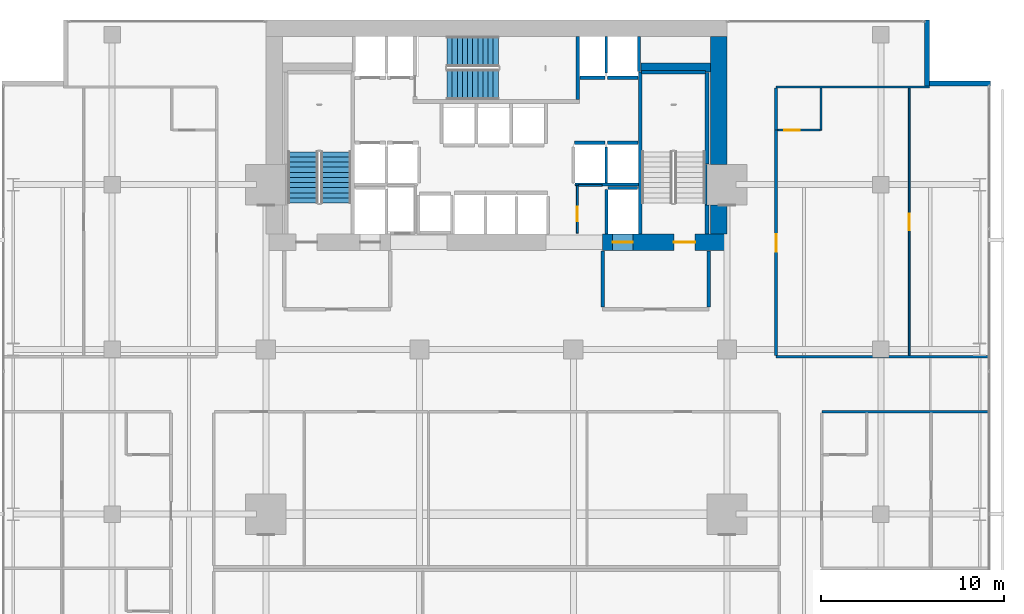
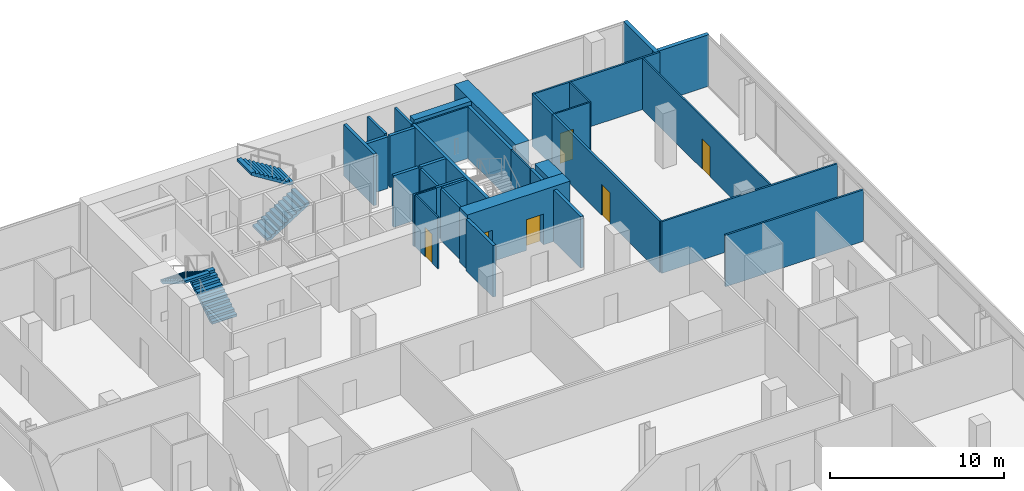
# One storey, part 36 of 39: 34 walls, 6 doors, 4 stair flights, 6 openings, 2 elements without a shape of their own.
"""IFC4 building model written with IfcOpenShell, lengths in metres."""

from ifc_helpers import new_model, si_unit, direction, frame, frame_2d, origin, place, context, subcontext, project, spatial, polyline, rectangle, outline, extrude, material, layer, layer_set, type_object, element, fill, aggregate, save


model = new_model("IFC4")

# Units and contexts
model_context = context("Model", 3, precision=1e-05, world=origin(), true_north=direction((0.0, 1.0)))
body_context = subcontext(model_context, "Body", "Model", "MODEL_VIEW")
ifc_project = project(units=[si_unit("LENGTHUNIT", "METRE"), si_unit("AREAUNIT", "SQUARE_METRE"), si_unit("VOLUMEUNIT", "CUBIC_METRE"), si_unit("PLANEANGLEUNIT", "RADIAN"), si_unit("MASSUNIT", "GRAM", prefix="KILO")], contexts=[model_context])

# Site, building, storey
site_placement = place(None, origin())
site = spatial("IfcSite", under=ifc_project, at=site_placement, CompositionType="ELEMENT")
building_placement = place(site_placement, origin())
building = spatial("IfcBuilding", under=site, at=building_placement, Name="Maruvema Waterfront Hotel and Observation Tower", CompositionType="ELEMENT")
storey_placement = place(building_placement, frame((0.0, 0.0, 69.300048828125)))
storey = spatial("IfcBuildingStorey", under=building, at=storey_placement, Name="L16", CompositionType="ELEMENT", Elevation=69.300048828125)

# Wall, opening, door
ifc_material_1 = material(Name="Twin-stud acoustic gypsum drywall", Category="gypsum")
ifc_layer_1 = layer(ifc_material_1, 0.14990234375, Name="Acoustic Corridor and Suite Demising Wall 150 mm")
ifc_layer_set_1 = layer_set([ifc_layer_1], Name="Twin-stud acoustic gypsum drywall")
wall_type_1 = type_object("IfcWallType", Name="Acoustic Corridor and Suite Demising Wall 150 mm", PredefinedType="PARTITIONING", material=ifc_layer_set_1)
wall_1_placement = place(storey_placement, frame((53.080078125, 35.659912109375, 0.0), z_axis=(0.0, 0.0, 1.0), x_axis=(0.0, 1.0, 0.0)))
wall_1 = element("IfcWall", 1, at=wall_1_placement, inside=storey, type_object=wall_type_1, Name="L16 Room L16-NE1 Corridor Wall 085", PredefinedType="PARTITIONING", context=body_context, shape_type="SweptSolid", body=[
    extrude(rectangle(XDim=12.32763671875, YDim=0.14990234375, at=frame_2d((6.163818359375, 0.0))), origin(), (0.0, 0.0, 1.0), 3.60986328125),
])
opening_1_placement = place(wall_1_placement, frame((5.688720703125, 0.0, 0.0)))
opening_1 = element("IfcOpeningElement", 2, at=opening_1_placement, cuts=wall_1, Name="Opening DR-095", PredefinedType="OPENING", context=body_context, shape_type="SweptSolid", body=[
    extrude(rectangle(XDim=0.949951171875, YDim=2.14990234375, at=frame_2d((0.47509765625, 1.074951171875))), frame((0.0, 0.0849609375, 0.0), z_axis=(0.0, -1.0, 0.0), x_axis=(1.0, 0.0, 0.0)), (0.0, 0.0, 1.0), 0.169921875),
])
ifc_material_2 = material(Name="Acoustic solid-core hardwood timber leaf", Category="wood")
door_type_1 = type_object("IfcDoorType", Name="Guestroom Entrance Fire Door 950x2150 mm", OperationType="NOTDEFINED", PredefinedType="DOOR", material=ifc_material_2)
door_1_placement = place(opening_1_placement, frame((0.949951171875, 0.0, 0.0), z_axis=(0.0, 0.0, 1.0), x_axis=(-1.0, 0.0, 0.0)))
door_1 = element("IfcDoor", 3, at=door_1_placement, inside=storey, type_object=door_type_1, Name="L16 Room L16-NE1 Entrance Door", OperationType="SINGLE_SWING_RIGHT", OverallHeight=2.14990234375, OverallWidth=0.949951171875, PredefinedType="DOOR", context=body_context, shape_type="SweptSolid", body=[
    extrude(rectangle(XDim=0.949951171875, YDim=2.14990234375, at=frame_2d((0.47509765625, 1.074951171875))), frame((0.0, 0.02490234375, 0.0), z_axis=(0.0, -1.0, 0.0), x_axis=(1.0, 0.0, 0.0)), (0.0, 0.0, 1.0), 0.050048828125),
])
fill(opening_1, door_1)

# Walls
wall_2_placement = place(storey_placement, frame((53.080078125, 47.987548828125, 0.0), z_axis=(0.0, 0.0, 1.0), x_axis=(0.0, 1.0, 0.0)))
element("IfcWall", 4, at=wall_2_placement, inside=storey, type_object=wall_type_1, Name="L16 Bath L16-NE1 Wall 086", PredefinedType="PARTITIONING", context=body_context, shape_type="SweptSolid", body=[
    extrude(rectangle(XDim=2.2900390625, YDim=0.14990234375, at=frame_2d((1.14501953125, 0.0))), origin(), (0.0, 0.0, 1.0), 3.60986328125),
])
ifc_material_3 = material(Name="Precast concrete C45/55", Category="concrete")
ifc_layer_2 = layer(ifc_material_3, 0.199951171875, Name="Core Shaft and Stairwell Enclosure Wall 200 mm")
ifc_layer_set_2 = layer_set([ifc_layer_2], Name="Precast concrete C45/55")
wall_type_2 = type_object("IfcWallType", Name="Core Shaft and Stairwell Enclosure Wall 200 mm", PredefinedType="SOLIDWALL", material=ifc_layer_set_2)
wall_3_placement = place(storey_placement, frame((42.25, 49.64990234375, 0.0), z_axis=(0.0, 0.0, 1.0), x_axis=(0.0, 1.0, 0.0)))
element("IfcWall", 5, at=wall_3_placement, inside=storey, type_object=wall_type_2, Name="L16 Stairwell ST-02 Shaft Wall", PredefinedType="SOLIDWALL", context=body_context, shape_type="SweptSolid", body=[
    extrude(rectangle(XDim=3.4501953125, YDim=0.199951171875, at=frame_2d((1.72509765625, 0.0))), origin(), (0.0, 0.0, 1.0), 3.60986328125),
])
wall_4_placement = place(storey_placement, frame((45.64990234375, 42.300048828125, 0.0), z_axis=(0.0, 0.0, 1.0), x_axis=(0.0, 1.0, 0.0)))
element("IfcWall", 6, at=wall_4_placement, inside=storey, type_object=wall_type_2, Name="L16 Stairwell ST-03 West Shaft Wall", PredefinedType="SOLIDWALL", context=body_context, shape_type="SweptSolid", body=[
    extrude(rectangle(XDim=8.849853515625, YDim=0.199951171875, at=frame_2d((4.4248046875, 0.0))), origin(), (0.0, 0.0, 1.0), 3.60986328125),
])
wall_5_placement = place(storey_placement, frame((49.300048828125, 42.300048828125, 0.0), z_axis=(0.0, 0.0, 1.0), x_axis=(0.0, 1.0, 0.0)))
element("IfcWall", 7, at=wall_5_placement, inside=storey, type_object=wall_type_2, Name="L16 Stairwell ST-03 Shaft Lining Wall", PredefinedType="SOLIDWALL", context=body_context, shape_type="SweptSolid", body=[
    extrude(rectangle(XDim=1.579833984375, YDim=0.199951171875, at=frame_2d((0.7900390625, 0.0))), origin(), (0.0, 0.0, 1.0), 3.60986328125),
])
wall_6_placement = place(storey_placement, frame((49.300048828125, 46.1201171875, 0.0), z_axis=(0.0, 0.0, 1.0), x_axis=(0.0, 1.0, 0.0)))
element("IfcWall", 8, at=wall_6_placement, inside=storey, type_object=wall_type_2, Name="L16 Stairwell ST-03 Shaft Lining Wall", PredefinedType="SOLIDWALL", context=body_context, shape_type="SweptSolid", body=[
    extrude(rectangle(XDim=5.0, YDim=0.199951171875, at=frame_2d((2.5, 0.0))), origin(), (0.0, 0.0, 1.0), 3.60986328125),
])
wall_7_placement = place(storey_placement, frame((45.719970703125, 51.14990234375, 0.0), z_axis=(0.0, 0.0, 1.0), x_axis=(1.0, 0.0, 0.0)))
element("IfcWall", 9, at=wall_7_placement, inside=storey, type_object=wall_type_2, Name="L16 Stairwell ST-03 Shaft Lining Wall", PredefinedType="SOLIDWALL", context=body_context, shape_type="SweptSolid", body=[
    extrude(rectangle(XDim=3.5, YDim=0.199951171875, at=frame_2d((1.75, 0.0))), origin(), (0.0, 0.0, 1.0), 3.60986328125),
])
for number, where, z_axis, x_axis, name in (
    (10, (42.06005859375, 47.300048828125, 0.0), (0.0, 0.0, 1.0), (1.0, 0.0, 0.0), "L16 Lift LF-05 Hoistway Front Wall"),
    (11, (43.860107421875, 47.300048828125, 0.0), (0.0, 0.0, 1.0), (1.0, 0.0, 0.0), "L16 Lift LF-06 Hoistway Front Wall"),
):
    element("IfcWall", number, at=place(storey_placement, frame(where, z_axis=z_axis, x_axis=x_axis)), inside=storey, type_object=wall_type_2, Name=name, PredefinedType="SOLIDWALL", context=body_context, shape_type="SweptSolid", body=[
        extrude(rectangle(XDim=1.679931640625, YDim=0.199951171875, at=frame_2d((0.83984375, 0.0))), origin(), (0.0, 0.0, 1.0), 3.60986328125),
    ])
wall_8_placement = place(storey_placement, frame((42.360107421875, 50.85009765625, 0.0), z_axis=(0.0, 0.0, 1.0), x_axis=(1.0, 0.0, 0.0)))
element("IfcWall", 12, at=wall_8_placement, inside=storey, type_object=wall_type_2, Name="L16 Lift LF-07 Hoistway Front Wall", PredefinedType="SOLIDWALL", context=body_context, shape_type="SweptSolid", body=[
    extrude(rectangle(XDim=1.3798828125, YDim=0.199951171875, at=frame_2d((0.68994140625, 0.0))), origin(), (0.0, 0.0, 1.0), 3.60986328125),
])
wall_9_placement = place(storey_placement, frame((43.860107421875, 50.85009765625, 0.0), z_axis=(0.0, 0.0, 1.0), x_axis=(1.0, 0.0, 0.0)))
element("IfcWall", 13, at=wall_9_placement, inside=storey, type_object=wall_type_2, Name="L16 Lift LF-08 Hoistway Front Wall", PredefinedType="SOLIDWALL", context=body_context, shape_type="SweptSolid", body=[
    extrude(rectangle(XDim=1.679931640625, YDim=0.199951171875, at=frame_2d((0.83984375, 0.0))), origin(), (0.0, 0.0, 1.0), 3.60986328125),
])
ifc_material_4 = material(Name="Concrete C70/85", Category="concrete")
ifc_layer_3 = layer(ifc_material_4, 0.5, Name="Core Shear Wall 500 mm")
ifc_layer_set_3 = layer_set([ifc_layer_3], Name="Concrete C70/85")
wall_type_3 = type_object("IfcWallType", Name="Core Shear Wall 500 mm", PredefinedType="SHEAR", material=ifc_layer_set_3)
wall_10_placement = place(storey_placement, frame((45.699951171875, 51.39990234375, 0.0), z_axis=(0.0, 0.0, 1.0), x_axis=(1.0, 0.0, 0.0)))
element("IfcWall", 14, at=wall_10_placement, inside=storey, type_object=wall_type_3, Name="L16 Internal Core Shear Wall NE 500 mm", PredefinedType="SHEAR", context=body_context, shape_type="SweptSolid", body=[
    extrude(rectangle(XDim=3.800048828125, YDim=0.5, at=frame_2d((1.89990234375, 0.0))), origin(), (0.0, 0.0, 1.0), 3.849853515625),
])

# Wall, openings, doors
ifc_material_5 = material(Name="Concrete C80/95", Category="concrete")
ifc_layer_4 = layer(ifc_material_5, 0.89990234375, Name="Core Shear Wall 900 mm")
ifc_layer_set_4 = layer_set([ifc_layer_4], Name="Concrete C80/95")
wall_type_4 = type_object("IfcWallType", Name="Core Shear Wall 900 mm", PredefinedType="SHEAR", material=ifc_layer_set_4)
wall_11_placement = place(storey_placement, frame((43.60009765625, 41.85009765625, 0.0), z_axis=(0.0, 0.0, 1.0), x_axis=(1.0, 0.0, 0.0)))
wall_11 = element("IfcWall", 15, at=wall_11_placement, inside=storey, type_object=wall_type_4, Name="L16 South-East Core Shear Wall", PredefinedType="SHEAR", context=body_context, shape_type="SweptSolid", body=[
    extrude(rectangle(XDim=6.7998046875, YDim=0.89990234375, at=frame_2d((3.39990234375, 0.0))), origin(), (0.0, 0.0, 1.0), 3.849853515625),
])
opening_2_placement = place(wall_11_placement, frame((3.89990234375, 0.0, 0.0)))
opening_2 = element("IfcOpeningElement", 16, at=opening_2_placement, cuts=wall_11, Name="Opening SD-01", PredefinedType="OPENING", context=body_context, shape_type="SweptSolid", body=[
    extrude(rectangle(XDim=1.14990234375, YDim=2.14990234375, at=frame_2d((0.574951171875, 1.074951171875))), frame((0.0, 0.4599609375, 0.0), z_axis=(0.0, -1.0, 0.0), x_axis=(1.0, 0.0, 0.0)), (0.0, 0.0, 1.0), 0.919921875),
])
opening_3_placement = place(wall_11_placement, frame((0.550048828125, 0.0, 0.0)))
opening_3 = element("IfcOpeningElement", 17, at=opening_3_placement, cuts=wall_11, Name="Opening LD-03", PredefinedType="OPENING", context=body_context, shape_type="SweptSolid", body=[
    extrude(rectangle(XDim=1.10009765625, YDim=2.199951171875, at=frame_2d((0.550048828125, 1.10009765625))), frame((0.0, 0.4599609375, 0.0), z_axis=(0.0, -1.0, 0.0), x_axis=(1.0, 0.0, 0.0)), (0.0, 0.0, 1.0), 0.919921875),
])
ifc_material_6 = material(Name="Fire-rated galvanised steel leaf", Category="steel")
door_type_2 = type_object("IfcDoorType", Name="Exit Stair Fire Door 1150x2150 mm", OperationType="NOTDEFINED", PredefinedType="DOOR", material=ifc_material_6)
door_2_placement = place(opening_2_placement, origin())
door_2 = element("IfcDoor", 18, at=door_2_placement, inside=storey, type_object=door_type_2, Name="L16 Exit Stair ST-03 Fire Door", OperationType="SINGLE_SWING_RIGHT", OverallHeight=2.14990234375, OverallWidth=1.14990234375, PredefinedType="DOOR", context=body_context, shape_type="SweptSolid", body=[
    extrude(rectangle(XDim=1.14990234375, YDim=2.14990234375, at=frame_2d((0.574951171875, 1.074951171875))), frame((0.0, 0.02490234375, 0.0), z_axis=(0.0, -1.0, 0.0), x_axis=(1.0, 0.0, 0.0)), (0.0, 0.0, 1.0), 0.050048828125),
])
fill(opening_2, door_2)
ifc_material_7 = material(Name="Brushed stainless steel Grade 316", Category="steel")
door_type_3 = type_object("IfcDoorType", Name="Firefighting Lift Sliding Landing Door 1100x2200 mm", OperationType="SLIDING_TO_LEFT", PredefinedType="DOOR", material=ifc_material_7)
door_3_placement = place(opening_3_placement, frame((1.10009765625, 0.0, 0.0), z_axis=(0.0, 0.0, 1.0), x_axis=(-1.0, 0.0, 0.0)))
door_3 = element("IfcDoor", 19, at=door_3_placement, inside=storey, type_object=door_type_3, Name="L16 Firefighting Lift FL-02 Landing Door", OperationType="SLIDING_TO_LEFT", OverallHeight=2.199951171875, OverallWidth=1.10009765625, PredefinedType="DOOR", context=body_context, shape_type="SweptSolid", body=[
    extrude(rectangle(XDim=1.10009765625, YDim=2.199951171875, at=frame_2d((0.550048828125, 1.10009765625))), frame((0.0, 0.02490234375, 0.0), z_axis=(0.0, -1.0, 0.0), x_axis=(1.0, 0.0, 0.0)), (0.0, 0.0, 1.0), 0.050048828125),
])
fill(opening_3, door_3)

# Walls
wall_12_placement = place(storey_placement, frame((49.949951171875, 42.300048828125, 0.0), z_axis=(0.0, 0.0, 1.0), x_axis=(0.0, 1.0, 0.0)))
element("IfcWall", 20, at=wall_12_placement, inside=storey, type_object=wall_type_4, Name="L16 East-South Core Shear Wall", PredefinedType="SHEAR", context=body_context, shape_type="SweptSolid", body=[
    extrude(rectangle(XDim=1.599853515625, YDim=0.89990234375, at=frame_2d((0.7998046875, 0.0))), origin(), (0.0, 0.0, 1.0), 3.849853515625),
])
wall_13_placement = place(storey_placement, frame((49.949951171875, 46.10009765625, 0.0), z_axis=(0.0, 0.0, 1.0), x_axis=(0.0, 1.0, 0.0)))
element("IfcWall", 21, at=wall_13_placement, inside=storey, type_object=wall_type_4, Name="L16 East-North Core Shear Wall", PredefinedType="SHEAR", context=body_context, shape_type="SweptSolid", body=[
    extrude(rectangle(XDim=7.0, YDim=0.89990234375, at=frame_2d((3.5, 0.0))), origin(), (0.0, 0.0, 1.0), 3.849853515625),
])

# Wall, opening, door
ifc_material_8 = material(Name="Moisture-resistant cement-board drywall", Category="gypsum")
ifc_layer_5 = layer(ifc_material_8, 0.10009765625, Name="En-Suite Moisture-Resistant Partition 100 mm")
ifc_layer_set_5 = layer_set([ifc_layer_5], Name="Moisture-resistant cement-board drywall")
wall_type_5 = type_object("IfcWallType", Name="En-Suite Moisture-Resistant Partition 100 mm", PredefinedType="PARTITIONING", material=ifc_layer_set_5)
wall_14_placement = place(storey_placement, frame((42.219970703125, 42.35009765625, 0.0), z_axis=(0.0, 0.0, 1.0), x_axis=(0.0, 1.0, 0.0)))
wall_14 = element("IfcWall", 22, at=wall_14_placement, inside=storey, type_object=wall_type_5, Name="L16 Core Closet K1 West 010", PredefinedType="PARTITIONING", context=body_context, shape_type="SweptSolid", body=[
    extrude(rectangle(XDim=2.60986328125, YDim=0.10009765625, at=frame_2d((1.304931640625, 0.0))), origin(), (0.0, 0.0, 1.0), 3.60986328125),
])
opening_4_placement = place(wall_14_placement, frame((0.64990234375, 0.0, 0.0)))
opening_4 = element("IfcOpeningElement", 23, at=opening_4_placement, cuts=wall_14, Name="Opening DR-080", PredefinedType="OPENING", context=body_context, shape_type="SweptSolid", body=[
    extrude(rectangle(XDim=0.800048828125, YDim=2.050048828125, at=frame_2d((0.39990234375, 1.02490234375))), frame((0.0, 0.06005859375, 0.0), z_axis=(0.0, -1.0, 0.0), x_axis=(1.0, 0.0, 0.0)), (0.0, 0.0, 1.0), 0.1201171875),
])
ifc_material_9 = material(Name="Powder-coated steel access leaf", Category="steel")
door_type_4 = type_object("IfcDoorType", Name="Riser and Service Cupboard Door 800x2050 mm", OperationType="NOTDEFINED", PredefinedType="DOOR", material=ifc_material_9)
door_4_placement = place(opening_4_placement, frame((0.800048828125, 0.0, 0.0), z_axis=(0.0, 0.0, 1.0), x_axis=(-1.0, 0.0, 0.0)))
door_4 = element("IfcDoor", 24, at=door_4_placement, inside=storey, type_object=door_type_4, Name="L16 Core Cleaning Store Door", OperationType="SINGLE_SWING_RIGHT", OverallHeight=2.050048828125, OverallWidth=0.800048828125, PredefinedType="DOOR", context=body_context, shape_type="SweptSolid", body=[
    extrude(rectangle(XDim=0.800048828125, YDim=2.050048828125, at=frame_2d((0.39990234375, 1.02490234375))), frame((0.0, 0.02490234375, 0.0), z_axis=(0.0, -1.0, 0.0), x_axis=(1.0, 0.0, 0.0)), (0.0, 0.0, 1.0), 0.050048828125),
])
fill(opening_4, door_4)

# Walls
wall_15_placement = place(storey_placement, frame((42.280029296875, 44.9599609375, 0.0), z_axis=(0.0, 0.0, 1.0), x_axis=(1.0, 0.0, 0.0)))
element("IfcWall", 25, at=wall_15_placement, inside=storey, type_object=wall_type_5, Name="L16 Core Closet K1 North 011", PredefinedType="PARTITIONING", context=body_context, shape_type="SweptSolid", body=[
    extrude(rectangle(XDim=1.300048828125, YDim=0.10009765625, at=frame_2d((0.64990234375, 0.0))), origin(), (0.0, 0.0, 1.0), 3.60986328125),
])
wall_16_placement = place(storey_placement, frame((55.530029296875, 47.987548828125, 0.0), z_axis=(0.0, 0.0, 1.0), x_axis=(0.0, 1.0, 0.0)))
element("IfcWall", 26, at=wall_16_placement, inside=storey, type_object=wall_type_5, Name="L16 En-Suite L16-NE1 E 087", PredefinedType="PARTITIONING", context=body_context, shape_type="SweptSolid", body=[
    extrude(rectangle(XDim=2.2900390625, YDim=0.10009765625, at=frame_2d((1.14501953125, 0.0))), origin(), (0.0, 0.0, 1.0), 3.60986328125),
])

# Wall, opening, door
wall_17_placement = place(storey_placement, frame((53.179931640625, 47.987548828125, 0.0), z_axis=(0.0, 0.0, 1.0), x_axis=(1.0, 0.0, 0.0)))
wall_17 = element("IfcWall", 27, at=wall_17_placement, inside=storey, type_object=wall_type_5, Name="L16 En-Suite L16-NE1 S 088", PredefinedType="PARTITIONING", context=body_context, shape_type="SweptSolid", body=[
    extrude(rectangle(XDim=2.300048828125, YDim=0.10009765625, at=frame_2d((1.14990234375, 0.0))), origin(), (0.0, 0.0, 1.0), 3.60986328125),
])
opening_5_placement = place(wall_17_placement, frame((0.35009765625, 0.0, 0.0)))
opening_5 = element("IfcOpeningElement", 28, at=opening_5_placement, cuts=wall_17, Name="Opening DR-085", PredefinedType="OPENING", context=body_context, shape_type="SweptSolid", body=[
    extrude(rectangle(XDim=0.85009765625, YDim=2.10009765625, at=frame_2d((0.425048828125, 1.050048828125))), frame((0.0, 0.06005859375, 0.0), z_axis=(0.0, -1.0, 0.0), x_axis=(1.0, 0.0, 0.0)), (0.0, 0.0, 1.0), 0.1201171875),
])
ifc_material_10 = material(Name="Moisture-resistant solid timber leaf", Category="wood")
door_type_5 = type_object("IfcDoorType", Name="En-Suite Bathroom Door 850x2100 mm", OperationType="NOTDEFINED", PredefinedType="DOOR", material=ifc_material_10)
door_5_placement = place(opening_5_placement, frame((0.85009765625, 0.0, 0.0), z_axis=(0.0, 0.0, 1.0), x_axis=(-1.0, 0.0, 0.0)))
door_5 = element("IfcDoor", 29, at=door_5_placement, inside=storey, type_object=door_type_5, Name="L16 En-Suite L16-NE1 Door", OperationType="SINGLE_SWING_LEFT", OverallHeight=2.10009765625, OverallWidth=0.85009765625, PredefinedType="DOOR", context=body_context, shape_type="SweptSolid", body=[
    extrude(rectangle(XDim=0.85009765625, YDim=2.10009765625, at=frame_2d((0.425048828125, 1.050048828125))), frame((0.0, 0.02490234375, 0.0), z_axis=(0.0, -1.0, 0.0), x_axis=(1.0, 0.0, 0.0)), (0.0, 0.0, 1.0), 0.050048828125),
])
fill(opening_5, door_5)

wall_18_placement = place(storey_placement, frame((60.350341796875, 35.659912109375, 0.0), z_axis=(0.0, 0.0, 1.0), x_axis=(0.0, 1.0, 0.0)))
wall_18 = element("IfcWall", 30, at=wall_18_placement, inside=storey, type_object=wall_type_5, Name="L16 Suite L16-NE1 Split 089", PredefinedType="PARTITIONING", context=body_context, shape_type="SweptSolid", body=[
    extrude(rectangle(XDim=14.61767578125, YDim=0.10009765625, at=frame_2d((7.308837890625, 0.0))), origin(), (0.0, 0.0, 1.0), 3.60986328125),
])
opening_6_placement = place(wall_18_placement, frame((6.85888671875, 0.0, 0.0)))
opening_6 = element("IfcOpeningElement", 31, at=opening_6_placement, cuts=wall_18, Name="Opening DR-090", PredefinedType="OPENING", context=body_context, shape_type="SweptSolid", body=[
    extrude(rectangle(XDim=0.89990234375, YDim=2.10009765625, at=frame_2d((0.449951171875, 1.050048828125))), frame((0.0, 0.06005859375, 0.0), z_axis=(0.0, -1.0, 0.0), x_axis=(1.0, 0.0, 0.0)), (0.0, 0.0, 1.0), 0.1201171875),
])
ifc_material_11 = material(Name="Solid-core lacquered timber leaf", Category="wood")
door_type_6 = type_object("IfcDoorType", Name="Accessible Toilet and Room Door 900x2100 mm", OperationType="NOTDEFINED", PredefinedType="DOOR", material=ifc_material_11)
door_6_placement = place(opening_6_placement, frame((0.89990234375, 0.0, 0.0), z_axis=(0.0, 0.0, 1.0), x_axis=(-1.0, 0.0, 0.0)))
door_6 = element("IfcDoor", 32, at=door_6_placement, inside=storey, type_object=door_type_6, Name="L16 Suite L16-NE1 Bedroom Door", OperationType="SINGLE_SWING_LEFT", OverallHeight=2.10009765625, OverallWidth=0.89990234375, PredefinedType="DOOR", context=body_context, shape_type="SweptSolid", body=[
    extrude(rectangle(XDim=0.89990234375, YDim=2.10009765625, at=frame_2d((0.449951171875, 1.050048828125))), frame((0.0, 0.02490234375, 0.0), z_axis=(0.0, -1.0, 0.0), x_axis=(1.0, 0.0, 0.0)), (0.0, 0.0, 1.0), 0.050048828125),
])
fill(opening_6, door_6)

# Walls
ifc_material_12 = material(Name="Precast concrete C45/55 with honed Pernambuco granite facing", Category="masonry")
ifc_layer_6 = layer(ifc_material_12, 0.260009765625, Name="Exterior Granite Clad Spandrel and Pier Wall 260 mm")
ifc_layer_set_6 = layer_set([ifc_layer_6], Name="Precast concrete C45/55 with honed Pernambuco granite facing")
wall_type_6 = type_object("IfcWallType", Name="Exterior Granite Clad Spandrel and Pier Wall 260 mm", PredefinedType="SOLIDWALL", material=ifc_layer_set_6)
for number, where, z_axis, x_axis, name in (
    (33, (61.330078125, 54.0, 0.0), (0.0, 0.0, 1.0), (0.0, -1.0, 0.0), "L16 Corner Notch Granite Pier Wall NE1"),
    (34, (61.199951171875, 50.530029296875, 0.0), (0.0, 0.0, 1.0), (1.0, 0.0, 0.0), "L16 Corner Notch Granite Pier Wall NE2"),
):
    element("IfcWall", number, at=place(storey_placement, frame(where, z_axis=z_axis, x_axis=x_axis)), inside=storey, type_object=wall_type_6, Name=name, PredefinedType="SOLIDWALL", context=body_context, shape_type="SweptSolid", body=[
        extrude(rectangle(XDim=3.60009765625, YDim=0.260009765625, at=frame_2d((1.800048828125, 0.0))), origin(), (0.0, 0.0, 1.0), 3.60986328125),
    ])
ifc_material_13 = material(Name="Autoclaved cellular concrete blockwork", Category="masonry")
ifc_layer_7 = layer(ifc_material_13, 0.199951171875, Name="Fire Compartment Masonry Wall 200 mm")
ifc_layer_set_7 = layer_set([ifc_layer_7], Name="Autoclaved cellular concrete blockwork")
wall_type_7 = type_object("IfcWallType", Name="Fire Compartment Masonry Wall 200 mm", PredefinedType="PARTITIONING", material=ifc_layer_set_7)
for number, where, z_axis, x_axis, name in (
    (35, (43.60009765625, 38.31005859375, 0.0), (0.0, 0.0, 1.0), (0.0, 1.0, 0.0), "L16 FFL East West Wall 005"),
    (36, (49.39990234375, 38.31005859375, 0.0), (0.0, 0.0, 1.0), (0.0, 1.0, 0.0), "L16 FFL East East Wall 006"),
):
    element("IfcWall", number, at=place(storey_placement, frame(where, z_axis=z_axis, x_axis=x_axis)), inside=storey, type_object=wall_type_7, Name=name, PredefinedType="PARTITIONING", context=body_context, shape_type="SweptSolid", body=[
        extrude(rectangle(XDim=3.06982421875, YDim=0.199951171875, at=frame_2d((1.534912109375, 0.0))), origin(), (0.0, 0.0, 1.0), 3.60986328125),
    ])
ifc_material_14 = material(Name="Acoustic gypsum plasterboard drywall", Category="gypsum")
ifc_layer_8 = layer(ifc_material_14, 0.125, Name="Guestroom Acoustic Demising Wall 125 mm")
ifc_layer_set_8 = layer_set([ifc_layer_8], Name="Acoustic gypsum plasterboard drywall")
wall_type_8 = type_object("IfcWallType", Name="Guestroom Acoustic Demising Wall 125 mm", PredefinedType="PARTITIONING", material=ifc_layer_set_8)
wall_19_placement = place(storey_placement, frame((55.580078125, 32.60009765625, 0.0), z_axis=(0.0, 0.0, 1.0), x_axis=(1.0, 0.0, 0.0)))
element("IfcWall", 37, at=wall_19_placement, inside=storey, type_object=wall_type_8, Name="L16 E Top End 053", PredefinedType="PARTITIONING", context=body_context, shape_type="SweptSolid", body=[
    extrude(rectangle(XDim=9.119873046875, YDim=0.125, at=frame_2d((4.56005859375, 0.0))), origin(), (0.0, 0.0, 1.0), 3.60986328125),
])
wall_20_placement = place(storey_placement, frame((53.080078125, 35.60009765625, 0.0), z_axis=(0.0, 0.0, 1.0), x_axis=(1.0, 0.0, 0.0)))
element("IfcWall", 38, at=wall_20_placement, inside=storey, type_object=wall_type_8, Name="L16 NE Bot End 077", PredefinedType="PARTITIONING", context=body_context, shape_type="SweptSolid", body=[
    extrude(rectangle(XDim=11.619873046875, YDim=0.125, at=frame_2d((5.81005859375, 0.0))), origin(), (0.0, 0.0, 1.0), 3.60986328125),
])
wall_21_placement = place(storey_placement, frame((53.080078125, 50.33740234375, 0.0), z_axis=(0.0, 0.0, 1.0), x_axis=(1.0, 0.0, 0.0)))
element("IfcWall", 39, at=wall_21_placement, inside=storey, type_object=wall_type_8, Name="L16 NE Top End 079", PredefinedType="PARTITIONING", context=body_context, shape_type="SweptSolid", body=[
    extrude(rectangle(XDim=8.3798828125, YDim=0.125, at=frame_2d((4.18994140625, 0.0))), origin(), (0.0, 0.0, 1.0), 3.60986328125),
])
ifc_material_15 = material(Name="Precast concrete C45/55", Category="concrete")
ifc_layer_9 = layer(ifc_material_15, 0.159912109375, Name="Lift Hoistway Divider Wall 160 mm")
ifc_layer_set_9 = layer_set([ifc_layer_9], Name="Precast concrete C45/55")
wall_type_9 = type_object("IfcWallType", Name="Lift Hoistway Divider Wall 160 mm", PredefinedType="SOLIDWALL", material=ifc_layer_set_9)
wall_22_placement = place(storey_placement, frame((43.89990234375, 44.830078125, 0.0), z_axis=(0.0, 0.0, 1.0), x_axis=(1.0, 0.0, 0.0)))
element("IfcWall", 40, at=wall_22_placement, inside=storey, type_object=wall_type_9, Name="L16 Lift FL-02 Rear Hoistway Wall", PredefinedType="SOLIDWALL", context=body_context, shape_type="SweptSolid", body=[
    extrude(rectangle(XDim=1.60009765625, YDim=0.159912109375, at=frame_2d((0.800048828125, 0.0))), origin(), (0.0, 0.0, 1.0), 3.60986328125),
])
wall_23_placement = place(storey_placement, frame((43.820068359375, 42.300048828125, 0.0), z_axis=(0.0, 0.0, 1.0), x_axis=(0.0, 1.0, 0.0)))
element("IfcWall", 41, at=wall_23_placement, inside=storey, type_object=wall_type_9, Name="L16 Lift FL-02 Inner Hoistway Wall", PredefinedType="SOLIDWALL", context=body_context, shape_type="SweptSolid", body=[
    extrude(rectangle(XDim=2.43994140625, YDim=0.159912109375, at=frame_2d((1.219970703125, 0.0))), origin(), (0.0, 0.0, 1.0), 3.60986328125),
])
wall_24_placement = place(storey_placement, frame((43.800048828125, 45.10009765625, 0.0), z_axis=(0.0, 0.0, 1.0), x_axis=(0.0, 1.0, 0.0)))
element("IfcWall", 42, at=wall_24_placement, inside=storey, type_object=wall_type_9, Name="L16 Hoistway Divider Wall", PredefinedType="SOLIDWALL", context=body_context, shape_type="SweptSolid", body=[
    extrude(rectangle(XDim=1.949951171875, YDim=0.159912109375, at=frame_2d((0.97509765625, 0.0))), origin(), (0.0, 0.0, 1.0), 3.60986328125),
])
wall_25_placement = place(storey_placement, frame((42.10009765625, 45.010009765625, 0.0), z_axis=(0.0, 0.0, 1.0), x_axis=(1.0, 0.0, 0.0)))
element("IfcWall", 43, at=wall_25_placement, inside=storey, type_object=wall_type_9, Name="L16 Hoistway Divider Wall", PredefinedType="SOLIDWALL", context=body_context, shape_type="SweptSolid", body=[
    extrude(rectangle(XDim=3.449951171875, YDim=0.159912109375, at=frame_2d((1.72509765625, 0.0))), origin(), (0.0, 0.0, 1.0), 3.60986328125),
])
wall_26_placement = place(storey_placement, frame((45.590087890625, 51.179931640625, 0.0), z_axis=(0.0, 0.0, 1.0), x_axis=(0.0, 1.0, 0.0)))
element("IfcWall", 44, at=wall_26_placement, inside=storey, type_object=wall_type_9, Name="L16 Hoistway Divider Wall", PredefinedType="SOLIDWALL", context=body_context, shape_type="SweptSolid", body=[
    extrude(rectangle(XDim=1.920166015625, YDim=0.159912109375, at=frame_2d((0.9599609375, 0.0))), origin(), (0.0, 0.0, 1.0), 3.60986328125),
])
wall_27_placement = place(storey_placement, frame((43.800048828125, 51.10009765625, 0.0), z_axis=(0.0, 0.0, 1.0), x_axis=(0.0, 1.0, 0.0)))
element("IfcWall", 45, at=wall_27_placement, inside=storey, type_object=wall_type_9, Name="L16 Hoistway Divider Wall", PredefinedType="SOLIDWALL", context=body_context, shape_type="SweptSolid", body=[
    extrude(rectangle(XDim=2.0, YDim=0.159912109375, at=frame_2d((1.0, 0.0))), origin(), (0.0, 0.0, 1.0), 3.60986328125),
])
ifc_material_16 = material(Name="Precast concrete C45/55", Category="concrete")
ifc_layer_10 = layer(ifc_material_16, 0.10009765625, Name="Stairwell Stringer Cheek Wall 100 mm")
ifc_layer_set_10 = layer_set([ifc_layer_10], Name="Precast concrete C45/55")
wall_type_10 = type_object("IfcWallType", Name="Stairwell Stringer Cheek Wall 100 mm", PredefinedType="SOLIDWALL", material=ifc_layer_set_10)
wall_28_placement = place(storey_placement, frame((49.248046875, 43.89990234375, 0.0), z_axis=(0.0, 0.0, 1.0), x_axis=(0.0, 1.0, 0.0)))
element("IfcWall", 46, at=wall_28_placement, inside=storey, type_object=wall_type_10, Name="L16 Stairwell ST-03 Mega-Column Cheek Wall", PredefinedType="SOLIDWALL", context=body_context, shape_type="SweptSolid", body=[
    extrude(rectangle(XDim=2.2001953125, YDim=0.10009765625, at=frame_2d((1.10009765625, 0.0))), origin(), (0.0, 0.0, 1.0), 3.60986328125),
])

# Stair, stair flights
ifc_material_17 = material(Name="Concrete C50/60", Category="concrete")
stair_type = type_object("IfcStairType", Name="Dogleg Exit Stair 1650 mm (22R x 175.0 mm)", PredefinedType="HALF_TURN_STAIR", material=ifc_material_17)
stair_1_placement = place(storey_placement, origin())
stair_1 = element("IfcStair", 47, at=stair_1_placement, inside=storey, type_object=stair_type, Name="L16 ST-01", PredefinedType="HALF_TURN_STAIR")
ifc_material_18 = material(Name="Concrete C50/60", Category="concrete")
stair_flight_type = type_object("IfcStairFlightType", Name="Reinforced Concrete Stair Flight 1650 mm (11R x 175.0 mm)", PredefinedType="STRAIGHT", material=ifc_material_18)
stair_flight_1_placement = place(storey_placement, frame((29.02490234375, 44.0, 0.0), z_axis=(0.0, 0.0, 1.0), x_axis=(0.0, 1.0, 0.0)))
stair_flight_1 = element("IfcStairFlight", 48, at=stair_flight_1_placement, type_object=stair_flight_type, Name="ST-01 flight 1", NumberOfRisers=11, NumberOfTreads=10, PredefinedType="STRAIGHT", RiserHeight=0.175, TreadLength=0.28, context=body_context, shape_type="SweptSolid", body=[
    extrude(outline(polyline([(0.0, 0.0), (0.0, 0.175048828125), (0.280029296875, 0.175048828125), (0.280029296875, 0.35009765625), (0.56005859375, 0.35009765625), (0.56005859375, 0.52490234375), (0.840087890625, 0.52490234375), (0.840087890625, 0.699951171875), (1.1201171875, 0.699951171875), (1.1201171875, 0.875), (1.39990234375, 0.875), (1.39990234375, 1.050048828125), (1.679931640625, 1.050048828125), (1.679931640625, 1.22509765625), (1.9599609375, 1.22509765625), (1.9599609375, 1.39990234375), (2.239990234375, 1.39990234375), (2.239990234375, 1.574951171875), (2.52001953125, 1.574951171875), (2.52001953125, 1.75), (2.800048828125, 1.75), (2.800048828125, 1.925048828125), (2.800048828125, 1.5732421875), (0.28271484375, 0.0), (0.0, 0.0)])), frame((0.0, 0.824951171875, 0.0), z_axis=(0.0, -1.0, 0.0), x_axis=(1.0, 0.0, 0.0)), (0.0, 0.0, 1.0), 1.64990234375),
])
stair_flight_2_placement = place(storey_placement, frame((27.22509765625, 46.800048828125, 1.925048828125), z_axis=(0.0, 0.0, 1.0), x_axis=(0.0, -1.0, 0.0)))
stair_flight_2 = element("IfcStairFlight", 49, at=stair_flight_2_placement, type_object=stair_flight_type, Name="ST-01 flight 2", NumberOfRisers=11, NumberOfTreads=10, PredefinedType="STRAIGHT", RiserHeight=0.175, TreadLength=0.28, context=body_context, shape_type="SweptSolid", body=[
    extrude(outline(polyline([(0.0, 0.0), (0.0, 0.175048828125), (0.280029296875, 0.175048828125), (0.280029296875, 0.35009765625), (0.56005859375, 0.35009765625), (0.56005859375, 0.52490234375), (0.840087890625, 0.52490234375), (0.840087890625, 0.699951171875), (1.1201171875, 0.699951171875), (1.1201171875, 0.875), (1.39990234375, 0.875), (1.39990234375, 1.050048828125), (1.679931640625, 1.050048828125), (1.679931640625, 1.22509765625), (1.9599609375, 1.22509765625), (1.9599609375, 1.39990234375), (2.239990234375, 1.39990234375), (2.239990234375, 1.574951171875), (2.52001953125, 1.574951171875), (2.52001953125, 1.75), (2.800048828125, 1.75), (2.800048828125, 1.925048828125), (2.800048828125, 1.5732421875), (0.28271484375, 0.0), (0.0, 0.0)])), frame((0.0, 0.824951171875, 0.0), z_axis=(0.0, -1.0, 0.0), x_axis=(1.0, 0.0, 0.0)), (0.0, 0.0, 1.0), 1.64990234375),
])
aggregate(stair_1, [stair_flight_1, stair_flight_2])

stair_2_placement = place(storey_placement, origin())
stair_2 = element("IfcStair", 50, at=stair_2_placement, inside=storey, type_object=stair_type, Name="L16 ST-02", PredefinedType="HALF_TURN_STAIR")
stair_flight_3_placement = place(storey_placement, frame((35.10009765625, 50.47509765625, 0.0), z_axis=(0.0, 0.0, 1.0), x_axis=(1.0, 0.0, 0.0)))
stair_flight_3 = element("IfcStairFlight", 51, at=stair_flight_3_placement, type_object=stair_flight_type, Name="ST-02 flight 1", NumberOfRisers=11, NumberOfTreads=10, PredefinedType="STRAIGHT", RiserHeight=0.175, TreadLength=0.28, context=body_context, shape_type="SweptSolid", body=[
    extrude(outline(polyline([(0.0, 0.0), (0.0, 0.175048828125), (0.280029296875, 0.175048828125), (0.280029296875, 0.35009765625), (0.56005859375, 0.35009765625), (0.56005859375, 0.52490234375), (0.840087890625, 0.52490234375), (0.840087890625, 0.699951171875), (1.1201171875, 0.699951171875), (1.1201171875, 0.875), (1.39990234375, 0.875), (1.39990234375, 1.050048828125), (1.679931640625, 1.050048828125), (1.679931640625, 1.22509765625), (1.9599609375, 1.22509765625), (1.9599609375, 1.39990234375), (2.239990234375, 1.39990234375), (2.239990234375, 1.574951171875), (2.52001953125, 1.574951171875), (2.52001953125, 1.75), (2.800048828125, 1.75), (2.800048828125, 1.925048828125), (2.800048828125, 1.5732421875), (0.28271484375, 0.0), (0.0, 0.0)])), frame((0.0, 0.824951171875, 0.0), z_axis=(0.0, -1.0, 0.0), x_axis=(1.0, 0.0, 0.0)), (0.0, 0.0, 1.0), 1.64990234375),
])
stair_flight_4_placement = place(storey_placement, frame((37.89990234375, 52.27490234375, 1.925048828125), z_axis=(0.0, 0.0, 1.0), x_axis=(-1.0, 0.0, 0.0)))
stair_flight_4 = element("IfcStairFlight", 52, at=stair_flight_4_placement, type_object=stair_flight_type, Name="ST-02 flight 2", NumberOfRisers=11, NumberOfTreads=10, PredefinedType="STRAIGHT", RiserHeight=0.175, TreadLength=0.28, context=body_context, shape_type="SweptSolid", body=[
    extrude(outline(polyline([(0.0, 0.0), (0.0, 0.175048828125), (0.280029296875, 0.175048828125), (0.280029296875, 0.35009765625), (0.56005859375, 0.35009765625), (0.56005859375, 0.52490234375), (0.840087890625, 0.52490234375), (0.840087890625, 0.699951171875), (1.1201171875, 0.699951171875), (1.1201171875, 0.875), (1.39990234375, 0.875), (1.39990234375, 1.050048828125), (1.679931640625, 1.050048828125), (1.679931640625, 1.22509765625), (1.9599609375, 1.22509765625), (1.9599609375, 1.39990234375), (2.239990234375, 1.39990234375), (2.239990234375, 1.574951171875), (2.52001953125, 1.574951171875), (2.52001953125, 1.75), (2.800048828125, 1.75), (2.800048828125, 1.925048828125), (2.800048828125, 1.5732421875), (0.28271484375, 0.0), (0.0, 0.0)])), frame((0.0, 0.824951171875, 0.0), z_axis=(0.0, -1.0, 0.0), x_axis=(1.0, 0.0, 0.0)), (0.0, 0.0, 1.0), 1.64990234375),
])
aggregate(stair_2, [stair_flight_3, stair_flight_4])

save(model, "model.ifc")
